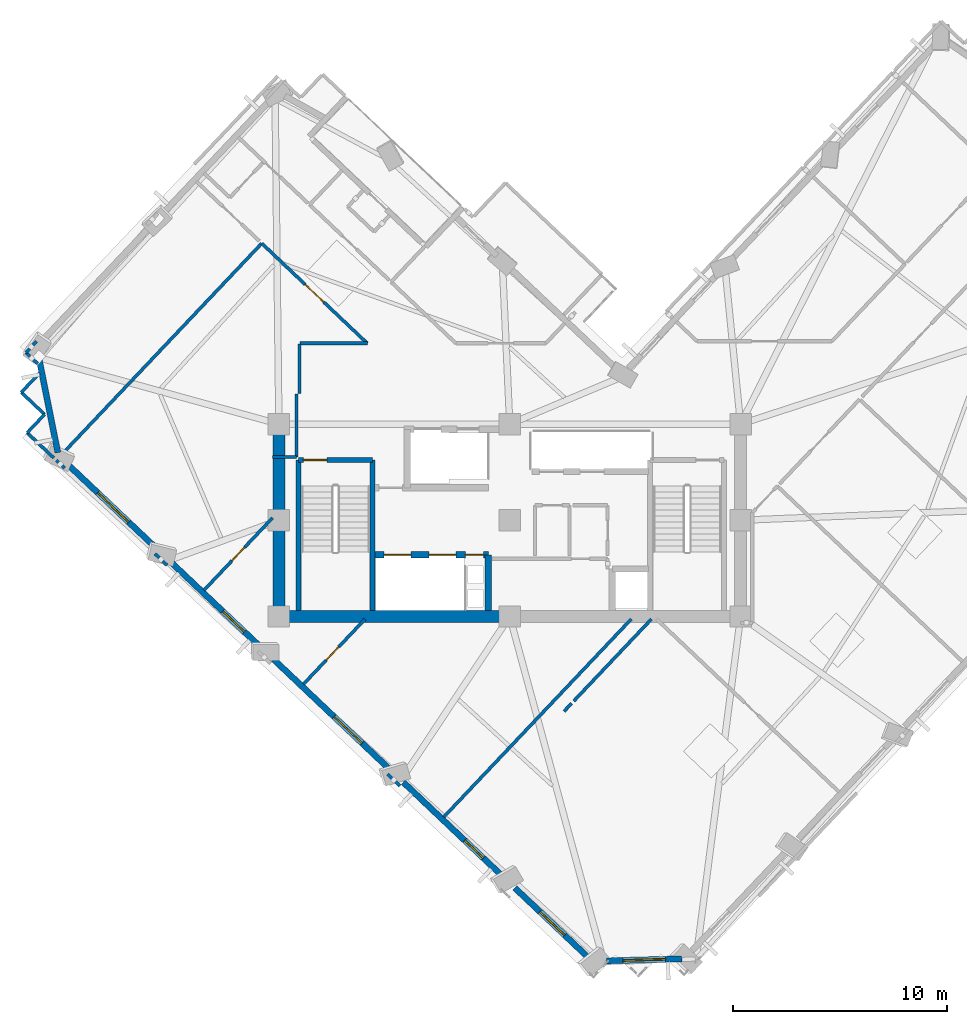
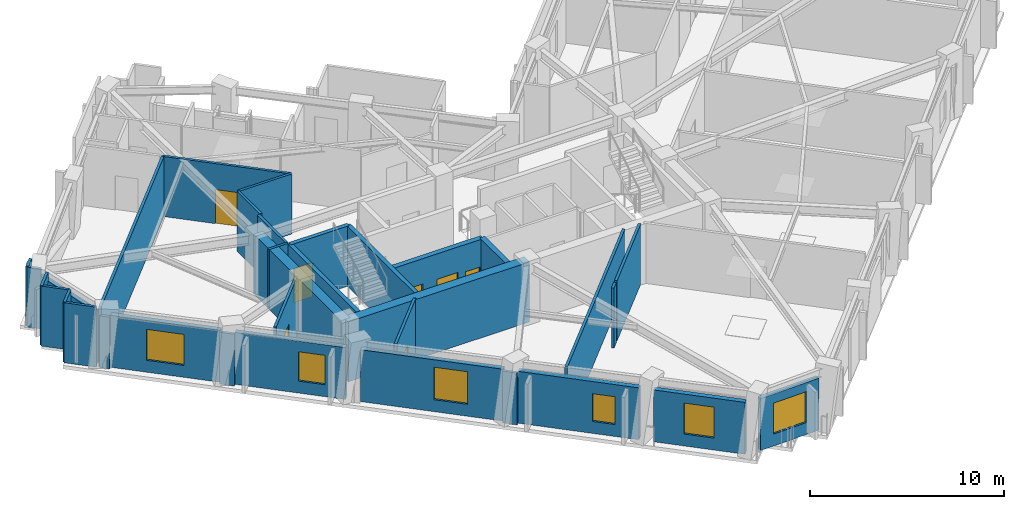
# One storey, part 4 of 12: 34 walls, 7 doors, 6 windows, 13 openings.
"""IFC4 building model written with IfcOpenShell, lengths in metres."""

import ifcopenshell
import ifcopenshell.guid

model = None  # the IFC model being written
_history = None  # IfcOwnerHistory: only IFC2X3 demands one
_inside = {}  # id of a spatial element -> (the spatial element, [elements in it])
_under = {}  # id of a project, library or spatial element -> (it, [spatial elements below it])
_declared = {}  # id of a project -> (the project, [libraries it declares])
_typed = {}  # id of a type object -> (the type object, [elements of that type])
_made_of = {}  # id of a material, layer set ... -> (it, [elements and type objects made of it])


def new_model(schema):
    """Start an empty IFC model of exactly this schema.

    Asked for "IFC4X3", IfcOpenShell would pick the latest addendum, in which some entities
    have other attributes; the version numbers below select the first issue.
    IFC2X3 requires an IfcOwnerHistory on every rooted entity: one is made here for all.
    """
    global model, _history
    if schema == "IFC4X3":
        model = ifcopenshell.file(schema_version=(4, 3, 0, 0))
    else:
        model = ifcopenshell.file(schema=schema)
    _inside.clear()
    _under.clear()
    _declared.clear()
    _typed.clear()
    _made_of.clear()
    _history = None
    if model.schema == "IFC2X3":
        org = make("IfcOrganization", Name="unknown")
        user = make(
            "IfcPersonAndOrganization",
            ThePerson=make("IfcPerson", FamilyName="unknown"),
            TheOrganization=org,
        )
        app = make(
            "IfcApplication",
            ApplicationDeveloper=org,
            Version="unknown",
            ApplicationFullName="unknown",
            ApplicationIdentifier="unknown",
        )
        _history = make(
            "IfcOwnerHistory",
            OwningUser=user,
            OwningApplication=app,
            ChangeAction="ADDED",
            CreationDate=0,
        )
    return model


def make(cls, **values):
    """One entity of the class cls with the attributes given. An attribute that is None is left unset."""
    return model.create_entity(
        cls, **{name: value for name, value in values.items() if value is not None}
    )


def rooted(cls, **values):
    """An entity with a GlobalId (a new one), such as an element, a storey or a relation."""
    return make(cls, GlobalId=ifcopenshell.guid.new(), OwnerHistory=_history, **values)


def si_unit(unit_type, name, prefix=None):
    """IfcSIUnit, for example si_unit("LENGTHUNIT", "METRE", prefix="MILLI")."""
    return make("IfcSIUnit", UnitType=unit_type, Prefix=prefix, Name=name)


def assignment(units):
    """IfcUnitAssignment: the units of a project."""
    return None if units is None else make("IfcUnitAssignment", Units=units)


def point(xyz):
    """IfcCartesianPoint."""
    return None if xyz is None else make("IfcCartesianPoint", Coordinates=xyz)


def direction(xyz):
    """IfcDirection."""
    return None if xyz is None else make("IfcDirection", DirectionRatios=xyz)


def frame(location, z_axis=None, x_axis=None):
    """IfcAxis2Placement3D, a coordinate frame: its origin and axes. An axis left out is left unset."""
    return make(
        "IfcAxis2Placement3D",
        Location=point(location),
        Axis=direction(z_axis),
        RefDirection=direction(x_axis),
    )


def frame_2d(location, x_axis=None):
    """IfcAxis2Placement2D, a coordinate frame in the plane: its origin and x axis."""
    return make(
        "IfcAxis2Placement2D", Location=point(location), RefDirection=direction(x_axis)
    )


def origin():
    """The frame at (0, 0, 0) with its axes left unset."""
    return frame((0.0, 0.0, 0.0))


def place(relative_to, where):
    """IfcLocalPlacement: puts the frame where relative to a parent placement (None: the world)."""
    return make(
        "IfcLocalPlacement", PlacementRelTo=relative_to, RelativePlacement=where
    )


def context(
    kind, dimensions, precision=None, world=None, true_north=None, identifier=None
):
    """IfcGeometricRepresentationContext, for example the 3D "Model" context."""
    return make(
        "IfcGeometricRepresentationContext",
        ContextIdentifier=identifier,
        ContextType=kind,
        CoordinateSpaceDimension=dimensions,
        Precision=precision,
        WorldCoordinateSystem=world,
        TrueNorth=true_north,
    )


def subcontext(parent, identifier, kind, view, scale=None):
    """IfcGeometricRepresentationSubContext, for example "Body" below "Model"."""
    return make(
        "IfcGeometricRepresentationSubContext",
        ContextIdentifier=identifier,
        ContextType=kind,
        ParentContext=parent,
        TargetScale=scale,
        TargetView=view,
    )


def project(units=None, contexts=None):
    """IfcProject with its units and contexts."""
    return rooted(
        "IfcProject",
        Name="project",
        RepresentationContexts=contexts,
        UnitsInContext=assignment(units),
    )


def spatial(cls, under=None, at=None, **own):
    """A site, building, storey or space (cls), placed at a placement, below another one or the project."""
    s = rooted(cls, ObjectPlacement=at, **own)
    if under is not None:
        _under.setdefault(under.id(), (under, []))[1].append(s)
    return s


def profile(cls, at=None, kind="AREA", **sizes):
    """A parametric profile (cls). Its sizes go by their IFC names, for example OverallWidth=200.0."""
    return make(cls, ProfileType=kind, Position=at, **sizes)


def rectangle(**sizes):
    """IfcRectangleProfileDef."""
    return profile("IfcRectangleProfileDef", **sizes)


def extrude(swept, where, along, depth):
    """IfcExtrudedAreaSolid: the profile swept, set in the frame where, extruded along a direction by depth."""
    return make(
        "IfcExtrudedAreaSolid",
        SweptArea=swept,
        Position=where,
        ExtrudedDirection=direction(along),
        Depth=depth,
    )


def shape(context_of_items, identifier, shape_type, items):
    """IfcShapeRepresentation: the items that make up one representation, for example the "Body"."""
    return make(
        "IfcShapeRepresentation",
        ContextOfItems=context_of_items,
        RepresentationIdentifier=identifier,
        RepresentationType=shape_type,
        Items=items,
    )


def material(Name=None, Category=None):
    """IfcMaterial."""
    return make("IfcMaterial", Name=Name, Category=Category)


def layer(
    of_material, thickness, ventilated=None, Name=None, Category=None, Priority=None
):
    """IfcMaterialLayer: one layer of a wall or slab, of a material (None: an air gap)."""
    return make(
        "IfcMaterialLayer",
        Material=of_material,
        LayerThickness=thickness,
        IsVentilated=ventilated,
        Name=Name,
        Category=Category,
        Priority=Priority,
    )


def layer_set(layers, Name=None):
    """IfcMaterialLayerSet."""
    return make("IfcMaterialLayerSet", MaterialLayers=layers, LayerSetName=Name)


def made_of(thing, what):
    """Note that an element or type object is made of a material, layer set ...; save() writes the relation."""
    if what is not None:
        _made_of.setdefault(what.id(), (what, []))[1].append(thing)
    return thing


def type_object(cls, material=None, **own):
    """A type object (cls), such as IfcWallType, which elements share."""
    return made_of(rooted(cls, **own), material)


def element(
    cls,
    number,
    at=None,
    inside=None,
    cuts=None,
    type_object=None,
    material=None,
    context=None,
    identifier="Body",
    shape_type=None,
    held_by="IfcProductDefinitionShape",
    body=None,
    shapes=None,
    **own,
):
    """One element of the class cls, such as IfcWall. Its Tag is "e" and its number.

    at: its placement. inside: the storey or other place that contains it. cuts: it is an
    opening in that element (IfcRelVoidsElement). A single representation is given by context,
    identifier, shape_type and body (its items); several are given by shapes. held_by: the class
    of the entity that holds the representations. save() writes the other relations.
    """
    e = rooted(cls, Tag="e%d" % number, ObjectPlacement=at, **own)
    if body is not None:
        shapes = [shape(context, identifier, shape_type, body)]
    if shapes is not None:
        e.Representation = make(held_by, Representations=shapes)
    if inside is not None:
        _inside.setdefault(inside.id(), (inside, []))[1].append(e)
    if cuts is not None:
        rooted(
            "IfcRelVoidsElement", RelatingBuildingElement=cuts, RelatedOpeningElement=e
        )
    if type_object is not None:
        _typed.setdefault(type_object.id(), (type_object, []))[1].append(e)
    return made_of(e, material)


def fill(opening, filler):
    """IfcRelFillsElement: the door or window that sits in an opening."""
    return rooted(
        "IfcRelFillsElement",
        RelatingOpeningElement=opening,
        RelatedBuildingElement=filler,
    )


def aggregate(whole, parts):
    """IfcRelAggregates: a whole, such as a stair, and the parts it consists of."""
    return rooted("IfcRelAggregates", RelatingObject=whole, RelatedObjects=parts)


def save(model, path):
    """Write the relations noted so far, then the file.

    IfcRelAggregates (storeys below a building ...), IfcRelContainedInSpatialStructure (elements
    in a storey), IfcRelDefinesByType, IfcRelAssociatesMaterial and IfcRelDeclares: one each for
    every whole, place, type object, material and project.
    """
    for whole, parts in _under.values():
        aggregate(whole, parts)
    for where, things in _inside.values():
        rooted(
            "IfcRelContainedInSpatialStructure",
            RelatedElements=things,
            RelatingStructure=where,
        )
    for kind, things in _typed.values():
        rooted("IfcRelDefinesByType", RelatedObjects=things, RelatingType=kind)
    for what, things in _made_of.values():
        rooted("IfcRelAssociatesMaterial", RelatedObjects=things, RelatingMaterial=what)
    for by, libraries in _declared.values():
        rooted("IfcRelDeclares", RelatingContext=by, RelatedDefinitions=libraries)
    model.write(path)


model = new_model("IFC4")

# Units and contexts
model_context = context("Model", 3, precision=1e-05, world=origin(), true_north=direction((0.0, 1.0)))
body_context = subcontext(model_context, "Body", "Model", "MODEL_VIEW")
ifc_project = project(units=[si_unit("LENGTHUNIT", "METRE"), si_unit("AREAUNIT", "SQUARE_METRE"), si_unit("VOLUMEUNIT", "CUBIC_METRE"), si_unit("PLANEANGLEUNIT", "RADIAN"), si_unit("MASSUNIT", "GRAM", prefix="KILO")], contexts=[model_context])

# Site, building, storey
site_placement = place(None, origin())
site = spatial("IfcSite", under=ifc_project, at=site_placement, CompositionType="ELEMENT")
building_placement = place(site_placement, origin())
building = spatial("IfcBuilding", under=site, at=building_placement, Name="Gaonmaruhae Medical Tower", CompositionType="ELEMENT")
storey_placement = place(building_placement, frame((0.0, 0.0, 223.199951171875)))
storey = spatial("IfcBuildingStorey", under=building, at=storey_placement, Name="L53", CompositionType="ELEMENT", Elevation=223.199951171875)

# Walls
ifc_material_1 = material(Name="Concrete C50/60", Category="concrete")
ifc_layer_1 = layer(ifc_material_1, 0.550048828125)
ifc_layer_set_1 = layer_set([ifc_layer_1], Name="Concrete C50/60")
wall_type_1 = type_object("IfcWallType", Name="CW-550 Mid-High Core Shear Wall", PredefinedType="SHEAR", material=ifc_layer_set_1)
wall_1_placement = place(storey_placement, frame((14.0, 7.800048828125, 0.0), z_axis=(0.0, 0.0, 1.0), x_axis=(1.0, 0.0, 0.0)))
element("IfcWall", 1, at=wall_1_placement, inside=storey, type_object=wall_type_1, Name="L53 Core Shear Wall CSW-S1", PredefinedType="SHEAR", context=body_context, shape_type="SweptSolid", body=[
    extrude(rectangle(XDim=10.800048828125, YDim=0.550048828125, at=frame_2d((5.39990234375, 0.0))), origin(), (0.0, 0.0, 1.0), 3.780029296875),
])
wall_2_placement = place(storey_placement, frame((14.0, 16.800048828125, 0.0), z_axis=(0.0, 0.0, 1.0), x_axis=(0.0, -1.0, 0.0)))
element("IfcWall", 2, at=wall_2_placement, inside=storey, type_object=wall_type_1, Name="L53 Core Shear Wall CSW-W1", PredefinedType="SHEAR", context=body_context, shape_type="SweptSolid", body=[
    extrude(rectangle(XDim=9.0, YDim=0.550048828125, at=frame_2d((4.5, 0.0))), origin(), (0.0, 0.0, 1.0), 3.780029296875),
])
ifc_material_2 = material(Name="Precast concrete C45/55", Category="concrete")
ifc_layer_2 = layer(ifc_material_2, 0.280029296875)
ifc_layer_set_2 = layer_set([ifc_layer_2], Name="Precast concrete C45/55")
wall_type_2 = type_object("IfcWallType", Name="EW-280 Upper Precast Masonry-Frame Facade Wall", PredefinedType="SOLIDWALL", material=ifc_layer_set_2)
wall_3_placement = place(storey_placement, frame((3.66015625, 15.460693359375, 0.0), z_axis=(0.0, 0.0, 1.0), x_axis=(-0.196510213366, 0.980501777685, 0.0)))
element("IfcWall", 3, at=wall_3_placement, inside=storey, type_object=wall_type_2, Name="L53 Precast Masonry-Frame Wall N03-W01", PredefinedType="SOLIDWALL", context=body_context, shape_type="SweptSolid", body=[
    extrude(rectangle(XDim=4.407958984375, YDim=0.280029296875, at=frame_2d((2.2041015625, 0.0))), origin(), (0.0, 0.0, 1.0), 3.26513671875),
])

# Wall, opening, window
wall_4_placement = place(storey_placement, frame((8.360107421875, 10.898681640625, 0.0), z_axis=(0.0, 0.0, 1.0), x_axis=(-0.725963687111, 0.68773303323, 0.0)))
wall_4 = element("IfcWall", 4, at=wall_4_placement, inside=storey, type_object=wall_type_2, Name="L53 Precast Masonry-Frame Wall W01-W02", PredefinedType="SOLIDWALL", context=body_context, shape_type="SweptSolid", body=[
    extrude(rectangle(XDim=5.830322265625, YDim=0.280029296875, at=frame_2d((2.9150390625, 0.0))), origin(), (0.0, 0.0, 1.0), 3.26513671875),
])
opening_1_placement = place(wall_4_placement, frame((1.911376953125, 0.0, 0.75)))
opening_1 = element("IfcOpeningElement", 5, at=opening_1_placement, cuts=wall_4, Name="Opening WN-02", PredefinedType="OPENING", context=body_context, shape_type="SweptSolid", body=[
    extrude(rectangle(XDim=2.0, YDim=1.949951171875, at=frame_2d((1.0, 0.97509765625))), frame((0.0, 0.14990234375, 0.0), z_axis=(0.0, -1.0, 0.0), x_axis=(1.0, 0.0, 0.0)), (0.0, 0.0, 1.0), 0.300048828125),
])
ifc_material_3 = material(Name="Anodised aluminium and Low-E double glazing", Category="aluminium")
window_type_1 = type_object("IfcWindowType", Name="WN-02 Double-Bed Ward Punched Window 2000x1950", PartitioningType="SINGLE_PANEL", PredefinedType="WINDOW", material=ifc_material_3)
window_1_placement = place(opening_1_placement, origin())
window_1 = element("IfcWindow", 6, at=window_1_placement, inside=storey, type_object=window_type_1, Name="L53 Modular Facade Window W01", OverallHeight=1.949951171875, OverallWidth=2.0, PartitioningType="SINGLE_PANEL", PredefinedType="WINDOW", context=body_context, shape_type="SweptSolid", body=[
    extrude(rectangle(XDim=2.0, YDim=1.949951171875, at=frame_2d((1.0, 0.97509765625))), frame((0.0, 0.030029296875, 0.0), z_axis=(0.0, -1.0, 0.0), x_axis=(1.0, 0.0, 0.0)), (0.0, 0.0, 1.0), 0.06005859375),
])
fill(opening_1, window_1)

wall_5_placement = place(storey_placement, frame((13.183349609375, 6.32958984375, 0.0), z_axis=(0.0, 0.0, 1.0), x_axis=(-0.725968007999, 0.687728472118, 0.0)))
wall_5 = element("IfcWall", 7, at=wall_5_placement, inside=storey, type_object=wall_type_2, Name="L53 Precast Masonry-Frame Wall W02-W03", PredefinedType="SOLIDWALL", context=body_context, shape_type="SweptSolid", body=[
    extrude(rectangle(XDim=5.861083984375, YDim=0.280029296875, at=frame_2d((2.9306640625, 0.0))), origin(), (0.0, 0.0, 1.0), 3.26513671875),
])
opening_2_placement = place(wall_5_placement, frame((1.097900390625, 0.0, 0.75)))
opening_2 = element("IfcOpeningElement", 8, at=opening_2_placement, cuts=wall_5, Name="Opening WN-03", PredefinedType="OPENING", context=body_context, shape_type="SweptSolid", body=[
    extrude(rectangle(XDim=1.39990234375, YDim=1.85009765625, at=frame_2d((0.699951171875, 0.925048828125))), frame((0.0, 0.14990234375, 0.0), z_axis=(0.0, -1.0, 0.0), x_axis=(1.0, 0.0, 0.0)), (0.0, 0.0, 1.0), 0.300048828125),
])
window_type_2 = type_object("IfcWindowType", Name="WN-03 Isolation Ward Punched Window 1400x1850", PartitioningType="SINGLE_PANEL", PredefinedType="WINDOW", material=ifc_material_3)
window_2_placement = place(opening_2_placement, origin())
window_2 = element("IfcWindow", 9, at=window_2_placement, inside=storey, type_object=window_type_2, Name="L53 Modular Facade Window W02", OverallHeight=1.85009765625, OverallWidth=1.39990234375, PartitioningType="SINGLE_PANEL", PredefinedType="WINDOW", context=body_context, shape_type="SweptSolid", body=[
    extrude(rectangle(XDim=1.39990234375, YDim=1.85009765625, at=frame_2d((0.699951171875, 0.925048828125))), frame((0.0, 0.030029296875, 0.0), z_axis=(0.0, -1.0, 0.0), x_axis=(1.0, 0.0, 0.0)), (0.0, 0.0, 1.0), 0.06005859375),
])
fill(opening_2, window_2)

wall_6_placement = place(storey_placement, frame((19.247314453125, 0.585205078125, 0.0), z_axis=(0.0, 0.0, 1.0), x_axis=(-0.725985785172, 0.687709706002, 0.0)))
wall_6 = element("IfcWall", 10, at=wall_6_placement, inside=storey, type_object=wall_type_2, Name="L53 Precast Masonry-Frame Wall W03-W04", PredefinedType="SOLIDWALL", context=body_context, shape_type="SweptSolid", body=[
    extrude(rectangle(XDim=7.558349609375, YDim=0.280029296875, at=frame_2d((3.779296875, 0.0))), origin(), (0.0, 0.0, 1.0), 3.26513671875),
])
opening_3_placement = place(wall_6_placement, frame((1.875244140625, 0.0, 0.75)))
opening_3 = element("IfcOpeningElement", 11, at=opening_3_placement, cuts=wall_6, Name="Opening WN-04", PredefinedType="OPENING", context=body_context, shape_type="SweptSolid", body=[
    extrude(rectangle(XDim=1.800048828125, YDim=2.050048828125, at=frame_2d((0.89990234375, 1.02490234375))), frame((0.0, 0.14990234375, 0.0), z_axis=(0.0, -1.0, 0.0), x_axis=(1.0, 0.0, 0.0)), (0.0, 0.0, 1.0), 0.300048828125),
])
window_type_3 = type_object("IfcWindowType", Name="WN-04 Clinic & Consult Punched Window 1800x2050", PartitioningType="SINGLE_PANEL", PredefinedType="WINDOW", material=ifc_material_3)
window_3_placement = place(opening_3_placement, origin())
window_3 = element("IfcWindow", 12, at=window_3_placement, inside=storey, type_object=window_type_3, Name="L53 Modular Facade Window W03", OverallHeight=2.050048828125, OverallWidth=1.800048828125, PartitioningType="SINGLE_PANEL", PredefinedType="WINDOW", context=body_context, shape_type="SweptSolid", body=[
    extrude(rectangle(XDim=1.800048828125, YDim=2.050048828125, at=frame_2d((0.89990234375, 1.02490234375))), frame((0.0, 0.030029296875, 0.0), z_axis=(0.0, -1.0, 0.0), x_axis=(1.0, 0.0, 0.0)), (0.0, 0.0, 1.0), 0.06005859375),
])
fill(opening_3, window_3)

wall_7_placement = place(storey_placement, frame((24.4833984375, -4.375, 0.0), z_axis=(0.0, 0.0, 1.0), x_axis=(-0.725961670354, 0.687735162091, 0.0)))
wall_7 = element("IfcWall", 13, at=wall_7_placement, inside=storey, type_object=wall_type_2, Name="L53 Precast Masonry-Frame Wall W04-W05", PredefinedType="SOLIDWALL", context=body_context, shape_type="SweptSolid", body=[
    extrude(rectangle(XDim=6.425048828125, YDim=0.280029296875, at=frame_2d((3.21240234375, 0.0))), origin(), (0.0, 0.0, 1.0), 3.26513671875),
])
opening_4_placement = place(wall_7_placement, frame((1.26513671875, 0.0, 0.75)))
opening_4 = element("IfcOpeningElement", 14, at=opening_4_placement, cuts=wall_7, Name="Opening WN-05", PredefinedType="OPENING", context=body_context, shape_type="SweptSolid", body=[
    extrude(rectangle(XDim=1.199951171875, YDim=1.75, at=frame_2d((0.60009765625, 0.875))), frame((0.0, 0.14990234375, 0.0), z_axis=(0.0, -1.0, 0.0), x_axis=(1.0, 0.0, 0.0)), (0.0, 0.0, 1.0), 0.300048828125),
])
window_type_4 = type_object("IfcWindowType", Name="WN-05 Support & Staff Punched Window 1200x1750", PartitioningType="SINGLE_PANEL", PredefinedType="WINDOW", material=ifc_material_3)
window_4_placement = place(opening_4_placement, origin())
window_4 = element("IfcWindow", 15, at=window_4_placement, inside=storey, type_object=window_type_4, Name="L53 Modular Facade Window W04", OverallHeight=1.75, OverallWidth=1.199951171875, PartitioningType="SINGLE_PANEL", PredefinedType="WINDOW", context=body_context, shape_type="SweptSolid", body=[
    extrude(rectangle(XDim=1.199951171875, YDim=1.75, at=frame_2d((0.60009765625, 0.875))), frame((0.0, 0.030029296875, 0.0), z_axis=(0.0, -1.0, 0.0), x_axis=(1.0, 0.0, 0.0)), (0.0, 0.0, 1.0), 0.06005859375),
])
fill(opening_4, window_4)

wall_8_placement = place(storey_placement, frame((28.56103515625, -8.23779296875, 0.0), z_axis=(0.0, 0.0, 1.0), x_axis=(-0.725980430511, 0.687715358644, 0.0)))
wall_8 = element("IfcWall", 16, at=wall_8_placement, inside=storey, type_object=wall_type_2, Name="L53 Precast Masonry-Frame Wall W05-W06", PredefinedType="SOLIDWALL", context=body_context, shape_type="SweptSolid", body=[
    extrude(rectangle(XDim=4.85546875, YDim=0.280029296875, at=frame_2d((2.427734375, 0.0))), origin(), (0.0, 0.0, 1.0), 3.26513671875),
])
opening_5_placement = place(wall_8_placement, frame((1.632568359375, 0.0, 0.75)))
opening_5 = element("IfcOpeningElement", 17, at=opening_5_placement, cuts=wall_8, Name="Opening WN-01", PredefinedType="OPENING", context=body_context, shape_type="SweptSolid", body=[
    extrude(rectangle(XDim=1.60009765625, YDim=1.949951171875, at=frame_2d((0.800048828125, 0.97509765625))), frame((0.0, 0.14990234375, 0.0), z_axis=(0.0, -1.0, 0.0), x_axis=(1.0, 0.0, 0.0)), (0.0, 0.0, 1.0), 0.300048828125),
])
window_type_5 = type_object("IfcWindowType", Name="WN-01 Ward Punched Acoustic Window 1600x1950", PartitioningType="SINGLE_PANEL", PredefinedType="WINDOW", material=ifc_material_3)
window_5_placement = place(opening_5_placement, origin())
window_5 = element("IfcWindow", 18, at=window_5_placement, inside=storey, type_object=window_type_5, Name="L53 Modular Facade Window W05", OverallHeight=1.949951171875, OverallWidth=1.60009765625, PartitioningType="SINGLE_PANEL", PredefinedType="WINDOW", context=body_context, shape_type="SweptSolid", body=[
    extrude(rectangle(XDim=1.60009765625, YDim=1.949951171875, at=frame_2d((0.800048828125, 0.97509765625))), frame((0.0, 0.030029296875, 0.0), z_axis=(0.0, -1.0, 0.0), x_axis=(1.0, 0.0, 0.0)), (0.0, 0.0, 1.0), 0.06005859375),
])
fill(opening_5, window_5)

wall_9_placement = place(storey_placement, frame((32.8486328125, -8.218994140625, 0.0), z_axis=(0.0, 0.0, 1.0), x_axis=(-0.999634260925, -0.0270433797, 0.0)))
wall_9 = element("IfcWall", 19, at=wall_9_placement, inside=storey, type_object=wall_type_2, Name="L53 Precast Masonry-Frame Wall W06-S01", PredefinedType="SOLIDWALL", context=body_context, shape_type="SweptSolid", body=[
    extrude(rectangle(XDim=3.520751953125, YDim=0.280029296875, at=frame_2d((1.76025390625, 0.0))), origin(), (0.0, 0.0, 1.0), 3.26513671875),
])
opening_6_placement = place(wall_9_placement, frame((0.759765625, 0.0, 0.75)))
opening_6 = element("IfcOpeningElement", 20, at=opening_6_placement, cuts=wall_9, Name="Opening WN-02", PredefinedType="OPENING", context=body_context, shape_type="SweptSolid", body=[
    extrude(rectangle(XDim=2.0, YDim=1.949951171875, at=frame_2d((1.0, 0.97509765625))), frame((0.0, 0.14990234375, 0.0), z_axis=(0.0, -1.0, 0.0), x_axis=(1.0, 0.0, 0.0)), (0.0, 0.0, 1.0), 0.300048828125),
])
window_6_placement = place(opening_6_placement, origin())
window_6 = element("IfcWindow", 21, at=window_6_placement, inside=storey, type_object=window_type_1, Name="L53 Modular Facade Window W06", OverallHeight=1.949951171875, OverallWidth=2.0, PartitioningType="SINGLE_PANEL", PredefinedType="WINDOW", context=body_context, shape_type="SweptSolid", body=[
    extrude(rectangle(XDim=2.0, YDim=1.949951171875, at=frame_2d((1.0, 0.97509765625))), frame((0.0, 0.030029296875, 0.0), z_axis=(0.0, -1.0, 0.0), x_axis=(1.0, 0.0, 0.0)), (0.0, 0.0, 1.0), 0.06005859375),
])
fill(opening_6, window_6)

# Walls
ifc_material_4 = material(Name="Gypsum board partition", Category="gypsum")
ifc_layer_3 = layer(ifc_material_4, 0.14990234375)
ifc_layer_set_3 = layer_set([ifc_layer_3], Name="Gypsum board partition")
wall_type_3 = type_object("IfcWallType", Name="PW-150 Rated Clinical Corridor Partition", PredefinedType="PARTITIONING", material=ifc_layer_set_3)
wall_10_placement = place(storey_placement, frame((27.801025390625, 3.846923828125, 0.0), z_axis=(0.0, 0.0, 1.0), x_axis=(0.687775466328, 0.725923486269, 0.0)))
element("IfcWall", 22, at=wall_10_placement, inside=storey, type_object=wall_type_3, Name="L53 Interior Partition L53-SUP02-10", PredefinedType="PARTITIONING", context=body_context, shape_type="SweptSolid", body=[
    extrude(rectangle(XDim=5.2734375, YDim=0.14990234375, at=frame_2d((2.63671875, 0.0))), origin(), (0.0, 0.0, 1.0), 3.780029296875),
])
wall_11_placement = place(storey_placement, frame((19.660888671875, -0.123046875, 0.0), z_axis=(0.0, 0.0, 1.0), x_axis=(-0.726376345224, 0.68729717379, 0.0)))
element("IfcWall", 23, at=wall_11_placement, inside=storey, type_object=wall_type_3, Name="L53 Interior Partition L53-WOF07-28", PredefinedType="PARTITIONING", context=body_context, shape_type="SweptSolid", body=[
    extrude(rectangle(XDim=0.787109375, YDim=0.14990234375, at=frame_2d((0.3935546875, 0.0))), origin(), (0.0, 0.0, 1.0), 3.26513671875),
])

# Wall, opening, door
wall_12_placement = place(storey_placement, frame((15.14599609375, 4.62890625, 0.0), z_axis=(0.0, 0.0, 1.0), x_axis=(0.687765627003, 0.725932808401, 0.0)))
wall_12 = element("IfcWall", 24, at=wall_12_placement, inside=storey, type_object=wall_type_3, Name="L53 Interior Partition L53-WOF07-29", PredefinedType="PARTITIONING", context=body_context, shape_type="SweptSolid", body=[
    extrude(rectangle(XDim=4.1962890625, YDim=0.14990234375, at=frame_2d((2.09814453125, 0.0))), origin(), (0.0, 0.0, 1.0), 3.780029296875),
])
opening_7_placement = place(wall_12_placement, frame((1.54736328125, 0.0, 0.0)))
opening_7 = element("IfcOpeningElement", 25, at=opening_7_placement, cuts=wall_12, Name="Opening AD-01", PredefinedType="OPENING", context=body_context, shape_type="SweptSolid", body=[
    extrude(rectangle(XDim=0.860107421875, YDim=2.06005859375, at=frame_2d((0.43017578125, 1.030029296875))), frame((0.0, 0.0849609375, 0.0), z_axis=(0.0, -1.0, 0.0), x_axis=(1.0, 0.0, 0.0)), (0.0, 0.0, 1.0), 0.169921875),
])
ifc_material_5 = material(Name="Powder-coated steel access door", Category="steel")
door_type_1 = type_object("IfcDoorType", Name="AD-01 Riser & Closet Access Fire Door 860x2060", OperationType="NOTDEFINED", PredefinedType="DOOR", material=ifc_material_5)
door_1_placement = place(opening_7_placement, origin())
door_1 = element("IfcDoor", 26, at=door_1_placement, inside=storey, type_object=door_type_1, Name="L53 Ward Physician Reporting Office Sliding Door", OperationType="SLIDING_TO_LEFT", OverallHeight=2.06005859375, OverallWidth=0.860107421875, PredefinedType="DOOR", context=body_context, shape_type="SweptSolid", body=[
    extrude(rectangle(XDim=0.860107421875, YDim=2.06005859375, at=frame_2d((0.43017578125, 1.030029296875))), frame((0.0, 0.02490234375, 0.0), z_axis=(0.0, -1.0, 0.0), x_axis=(1.0, 0.0, 0.0)), (0.0, 0.0, 1.0), 0.050048828125),
])
fill(opening_7, door_1)

# Wall
wall_13_placement = place(storey_placement, frame((30.48388671875, 7.675048828125, 0.0), z_axis=(0.0, 0.0, 1.0), x_axis=(-0.687675654544, -0.726018039823, 0.0)))
element("IfcWall", 27, at=wall_13_placement, inside=storey, type_object=wall_type_3, Name="L53 Interior Partition L53-WOF07-30", PredefinedType="PARTITIONING", context=body_context, shape_type="SweptSolid", body=[
    extrude(rectangle(XDim=12.76025390625, YDim=0.14990234375, at=frame_2d((6.380126953125, 0.0))), origin(), (0.0, 0.0, 1.0), 3.780029296875),
])

# Wall, opening, door
wall_14_placement = place(storey_placement, frame((10.4990234375, 9.031005859375, 0.0), z_axis=(0.0, 0.0, 1.0), x_axis=(0.687833407474, 0.725868585601, 0.0)))
wall_14 = element("IfcWall", 28, at=wall_14_placement, inside=storey, type_object=wall_type_3, Name="L53 Interior Partition L53-WOF08-32", PredefinedType="PARTITIONING", context=body_context, shape_type="SweptSolid", body=[
    extrude(rectangle(XDim=4.653564453125, YDim=0.14990234375, at=frame_2d((2.32666015625, 0.0))), origin(), (0.0, 0.0, 1.0), 3.780029296875),
])
opening_8_placement = place(wall_14_placement, frame((1.89697265625, 0.0, 0.0)))
opening_8 = element("IfcOpeningElement", 29, at=opening_8_placement, cuts=wall_14, Name="Opening AD-01", PredefinedType="OPENING", context=body_context, shape_type="SweptSolid", body=[
    extrude(rectangle(XDim=0.860107421875, YDim=2.06005859375, at=frame_2d((0.43017578125, 1.030029296875))), frame((0.0, 0.0849609375, 0.0), z_axis=(0.0, -1.0, 0.0), x_axis=(1.0, 0.0, 0.0)), (0.0, 0.0, 1.0), 0.169921875),
])
door_2_placement = place(opening_8_placement, origin())
door_2 = element("IfcDoor", 30, at=door_2_placement, inside=storey, type_object=door_type_1, Name="L53 Ward Physician Reporting Office Sliding Door", OperationType="SLIDING_TO_LEFT", OverallHeight=2.06005859375, OverallWidth=0.860107421875, PredefinedType="DOOR", context=body_context, shape_type="SweptSolid", body=[
    extrude(rectangle(XDim=0.860107421875, YDim=2.06005859375, at=frame_2d((0.43017578125, 1.030029296875))), frame((0.0, 0.02490234375, 0.0), z_axis=(0.0, -1.0, 0.0), x_axis=(1.0, 0.0, 0.0)), (0.0, 0.0, 1.0), 0.050048828125),
])
fill(opening_8, door_2)

# Walls
wall_15_placement = place(storey_placement, frame((14.969970703125, 20.550048828125, 0.0), z_axis=(0.0, 0.0, 1.0), x_axis=(0.0, -1.0, 0.0)))
element("IfcWall", 31, at=wall_15_placement, inside=storey, type_object=wall_type_3, Name="L53 Interior Partition L53-WOF09-33", PredefinedType="PARTITIONING", context=body_context, shape_type="SweptSolid", body=[
    extrude(rectangle(XDim=2.320068359375, YDim=0.14990234375, at=frame_2d((1.16015625, 0.0))), origin(), (0.0, 0.0, 1.0), 3.780029296875),
])
wall_16_placement = place(storey_placement, frame((14.820068359375, 18.199951171875, 0.0), z_axis=(0.0, 0.0, 1.0), x_axis=(0.0, -1.0, 0.0)))
element("IfcWall", 32, at=wall_16_placement, inside=storey, type_object=wall_type_3, Name="L53 Interior Partition L53-WOF09-34", PredefinedType="PARTITIONING", context=body_context, shape_type="SweptSolid", body=[
    extrude(rectangle(XDim=2.93994140625, YDim=0.14990234375, at=frame_2d((1.469970703125, 0.0))), origin(), (0.0, 0.0, 1.0), 3.780029296875),
])
wall_17_placement = place(storey_placement, frame((14.820068359375, 15.260009765625, 0.0), z_axis=(0.0, 0.0, 1.0), x_axis=(-1.0, 0.0, 0.0)))
element("IfcWall", 33, at=wall_17_placement, inside=storey, type_object=wall_type_3, Name="L53 Interior Partition L53-WOF09-35", PredefinedType="PARTITIONING", context=body_context, shape_type="SweptSolid", body=[
    extrude(rectangle(XDim=1.1201171875, YDim=0.14990234375, at=frame_2d((0.56005859375, 0.0))), origin(), (0.0, 0.0, 1.0), 3.780029296875),
])
wall_18_placement = place(storey_placement, frame((8.77001953125, 10.193115234375, 0.0), z_axis=(0.0, 0.0, 1.0), x_axis=(-0.725567481012, 0.688151023031, 0.0)))
element("IfcWall", 34, at=wall_18_placement, inside=storey, type_object=wall_type_3, Name="L53 Interior Partition L53-WOF09-36", PredefinedType="PARTITIONING", context=body_context, shape_type="SweptSolid", body=[
    extrude(rectangle(XDim=0.782958984375, YDim=0.14990234375, at=frame_2d((0.3916015625, 0.0))), origin(), (0.0, 0.0, 1.0), 3.26513671875),
])
wall_19_placement = place(storey_placement, frame((3.969970703125, 14.741943359375, 0.0), z_axis=(0.0, 0.0, 1.0), x_axis=(-0.726592423793, 0.687068737236, 0.0)))
element("IfcWall", 35, at=wall_19_placement, inside=storey, type_object=wall_type_3, Name="L53 Interior Partition L53-WOF09-37", PredefinedType="PARTITIONING", context=body_context, shape_type="SweptSolid", body=[
    extrude(rectangle(XDim=0.53125, YDim=0.14990234375, at=frame_2d((0.265625, 0.0))), origin(), (0.0, 0.0, 1.0), 3.26513671875),
])
wall_20_placement = place(storey_placement, frame((3.583984375, 15.10693359375, 0.0), z_axis=(0.0, 0.0, 1.0), x_axis=(0.687707348385, 0.72598801848, 0.0)))
element("IfcWall", 36, at=wall_20_placement, inside=storey, type_object=wall_type_3, Name="L53 Interior Partition L53-WOF09-38", PredefinedType="PARTITIONING", context=body_context, shape_type="SweptSolid", body=[
    extrude(rectangle(XDim=13.979736328125, YDim=0.14990234375, at=frame_2d((6.98974609375, 0.0))), origin(), (0.0, 0.0, 1.0), 3.780029296875),
])

# Wall, opening, door
wall_21_placement = place(storey_placement, frame((13.197998046875, 25.256103515625, 0.0), z_axis=(0.0, 0.0, 1.0), x_axis=(0.725968723938, -0.687727716371, 0.0)))
wall_21 = element("IfcWall", 37, at=wall_21_placement, inside=storey, type_object=wall_type_3, Name="L53 Interior Partition L53-WOF09-39", PredefinedType="PARTITIONING", context=body_context, shape_type="SweptSolid", body=[
    extrude(rectangle(XDim=6.79931640625, YDim=0.14990234375, at=frame_2d((3.399658203125, 0.0))), origin(), (0.0, 0.0, 1.0), 3.780029296875),
])
opening_9_placement = place(wall_21_placement, frame((2.799560546875, 0.0, 0.0)))
opening_9 = element("IfcOpeningElement", 38, at=opening_9_placement, cuts=wall_21, Name="Opening CD-02", PredefinedType="OPENING", context=body_context, shape_type="SweptSolid", body=[
    extrude(rectangle(XDim=1.199951171875, YDim=2.14990234375, at=frame_2d((0.60009765625, 1.074951171875))), frame((0.0, 0.0849609375, 0.0), z_axis=(0.0, -1.0, 0.0), x_axis=(1.0, 0.0, 0.0)), (0.0, 0.0, 1.0), 0.169921875),
])
ifc_material_6 = material(Name="Antimicrobial laminate timber fire door", Category="wood")
door_type_2 = type_object("IfcDoorType", Name="CD-02 Clinical Treatment & Procedure Door 1200x2150", OperationType="NOTDEFINED", PredefinedType="DOOR", material=ifc_material_6)
door_3_placement = place(opening_9_placement, origin())
door_3 = element("IfcDoor", 39, at=door_3_placement, inside=storey, type_object=door_type_2, Name="L53 Ward Physician Reporting Office Door", OperationType="SINGLE_SWING_RIGHT", OverallHeight=2.14990234375, OverallWidth=1.199951171875, PredefinedType="DOOR", context=body_context, shape_type="SweptSolid", body=[
    extrude(rectangle(XDim=1.199951171875, YDim=2.14990234375, at=frame_2d((0.60009765625, 1.074951171875))), frame((0.0, 0.02490234375, 0.0), z_axis=(0.0, -1.0, 0.0), x_axis=(1.0, 0.0, 0.0)), (0.0, 0.0, 1.0), 0.050048828125),
])
fill(opening_9, door_3)

# Walls
wall_22_placement = place(storey_placement, frame((18.134033203125, 20.580078125, 0.0), z_axis=(0.0, 0.0, 1.0), x_axis=(-1.0, 0.0, 0.0)))
element("IfcWall", 40, at=wall_22_placement, inside=storey, type_object=wall_type_3, Name="L53 Interior Partition L53-WOF09-40", PredefinedType="PARTITIONING", context=body_context, shape_type="SweptSolid", body=[
    extrude(rectangle(XDim=3.136962890625, YDim=0.14990234375, at=frame_2d((1.568359375, 0.0))), origin(), (0.0, 0.0, 1.0), 3.780029296875),
])
wall_23_placement = place(storey_placement, frame((1.945068359375, 18.284912109375, 0.0), z_axis=(0.0, 0.0, 1.0), x_axis=(0.687832109073, 0.725869815964, 0.0)))
element("IfcWall", 41, at=wall_23_placement, inside=storey, type_object=wall_type_3, Name="L53 Interior Partition L53-WOF10-41", PredefinedType="PARTITIONING", context=body_context, shape_type="SweptSolid", body=[
    extrude(rectangle(XDim=1.23876953125, YDim=0.14990234375, at=frame_2d((0.619384765625, 0.0))), origin(), (0.0, 0.0, 1.0), 3.780029296875),
])
wall_24_placement = place(storey_placement, frame((2.7080078125, 19.626953125, 0.0), z_axis=(0.0, 0.0, 1.0), x_axis=(-0.725388799177, 0.688339371262, 0.0)))
element("IfcWall", 42, at=wall_24_placement, inside=storey, type_object=wall_type_3, Name="L53 Interior Partition L53-WOF10-42", PredefinedType="PARTITIONING", context=body_context, shape_type="SweptSolid", body=[
    extrude(rectangle(XDim=0.751220703125, YDim=0.14990234375, at=frame_2d((0.37548828125, 0.0))), origin(), (0.0, 0.0, 1.0), 3.780029296875),
])
wall_25_placement = place(storey_placement, frame((2.1630859375, 20.14404296875, 0.0), z_axis=(0.0, 0.0, 1.0), x_axis=(0.687652052217, 0.726040394938, 0.0)))
element("IfcWall", 43, at=wall_25_placement, inside=storey, type_object=wall_type_3, Name="L53 Interior Partition L53-WOF10-43", PredefinedType="PARTITIONING", context=body_context, shape_type="SweptSolid", body=[
    extrude(rectangle(XDim=0.7314453125, YDim=0.14990234375, at=frame_2d((0.36572265625, 0.0))), origin(), (0.0, 0.0, 1.0), 3.780029296875),
])
wall_26_placement = place(storey_placement, frame((3.467041015625, 15.217041015625, 0.0), z_axis=(0.0, 0.0, 1.0), x_axis=(-0.726135984847, 0.687551111926, 0.0)))
element("IfcWall", 44, at=wall_26_placement, inside=storey, type_object=wall_type_3, Name="L53 Interior Partition L53-WOF10-46", PredefinedType="PARTITIONING", context=body_context, shape_type="SweptSolid", body=[
    extrude(rectangle(XDim=1.714599609375, YDim=0.14990234375, at=frame_2d((0.857421875, 0.0))), origin(), (0.0, 0.0, 1.0), 3.780029296875),
])
wall_27_placement = place(storey_placement, frame((2.221923828125, 16.39599609375, 0.0), z_axis=(0.0, 0.0, 1.0), x_axis=(0.687824949472, 0.725876600314, 0.0)))
element("IfcWall", 45, at=wall_27_placement, inside=storey, type_object=wall_type_3, Name="L53 Interior Partition L53-WOF10-47", PredefinedType="PARTITIONING", context=body_context, shape_type="SweptSolid", body=[
    extrude(rectangle(XDim=1.1806640625, YDim=0.14990234375, at=frame_2d((0.59033203125, 0.0))), origin(), (0.0, 0.0, 1.0), 3.780029296875),
])
wall_28_placement = place(storey_placement, frame((3.033935546875, 17.2529296875, 0.0), z_axis=(0.0, 0.0, 1.0), x_axis=(-0.725811549819, 0.687893592171, 0.0)))
element("IfcWall", 46, at=wall_28_placement, inside=storey, type_object=wall_type_3, Name="L53 Interior Partition L53-WOF10-48", PredefinedType="PARTITIONING", context=body_context, shape_type="SweptSolid", body=[
    extrude(rectangle(XDim=1.500244140625, YDim=0.14990234375, at=frame_2d((0.75, 0.0))), origin(), (0.0, 0.0, 1.0), 3.780029296875),
])
wall_29_placement = place(storey_placement, frame((27.69091796875, 3.72998046875, 0.0), z_axis=(0.0, 0.0, 1.0), x_axis=(-0.688182875611, -0.725537269694, 0.0)))
element("IfcWall", 47, at=wall_29_placement, inside=storey, type_object=wall_type_3, Name="L53 Interior Partition L53-RM01-84", PredefinedType="PARTITIONING", context=body_context, shape_type="SweptSolid", body=[
    extrude(rectangle(XDim=0.509765625, YDim=0.14990234375, at=frame_2d((0.2548828125, 0.0))), origin(), (0.0, 0.0, 1.0), 3.780029296875),
])

# Wall, opening, door
ifc_layer_4 = layer(ifc_material_1, 0.239990234375)
ifc_layer_set_4 = layer_set([ifc_layer_4], Name="Concrete C50/60")
wall_type_4 = type_object("IfcWallType", Name="SW-240 Dogleg Stair Tight Shaft Wall", PredefinedType="SOLIDWALL", material=ifc_layer_set_4)
wall_30_placement = place(storey_placement, frame((14.919921875, 15.1201171875, 0.0), z_axis=(0.0, 0.0, 1.0), x_axis=(1.0, 0.0, 0.0)))
wall_30 = element("IfcWall", 48, at=wall_30_placement, inside=storey, type_object=wall_type_4, Name="L53 ST-01 Stair Shaft Wall SHW-ST-01-N", PredefinedType="SOLIDWALL", context=body_context, shape_type="SweptSolid", body=[
    extrude(rectangle(XDim=3.4599609375, YDim=0.239990234375, at=frame_2d((1.72998046875, 0.0))), origin(), (0.0, 0.0, 1.0), 3.780029296875),
])
opening_10_placement = place(wall_30_placement, frame((0.219970703125, 0.0, 0.0)))
opening_10 = element("IfcOpeningElement", 49, at=opening_10_placement, cuts=wall_30, Name="Opening FD-01", PredefinedType="OPENING", context=body_context, shape_type="SweptSolid", body=[
    extrude(rectangle(XDim=1.10009765625, YDim=2.14990234375, at=frame_2d((0.550048828125, 1.074951171875))), frame((0.0, 0.1298828125, 0.0), z_axis=(0.0, -1.0, 0.0), x_axis=(1.0, 0.0, 0.0)), (0.0, 0.0, 1.0), 0.260009765625),
])
ifc_material_7 = material(Name="Powder-coated steel fire door", Category="steel")
door_type_3 = type_object("IfcDoorType", Name="FD-01 Escape Stair Protected Fire Door 1100x2150", OperationType="NOTDEFINED", PredefinedType="DOOR", material=ifc_material_7)
door_4_placement = place(opening_10_placement, origin())
door_4 = element("IfcDoor", 50, at=door_4_placement, inside=storey, type_object=door_type_3, Name="L53 ST-01 Protected Escape Stair Door", OperationType="SINGLE_SWING_RIGHT", OverallHeight=2.14990234375, OverallWidth=1.10009765625, PredefinedType="DOOR", context=body_context, shape_type="SweptSolid", body=[
    extrude(rectangle(XDim=1.10009765625, YDim=2.14990234375, at=frame_2d((0.550048828125, 1.074951171875))), frame((0.0, 0.02490234375, 0.0), z_axis=(0.0, -1.0, 0.0), x_axis=(1.0, 0.0, 0.0)), (0.0, 0.0, 1.0), 0.050048828125),
])
fill(opening_10, door_4)

# Walls
for number, where, z_axis, x_axis, name in (
    (51, (18.3798828125, 15.1201171875, 0.0), (0.0, 0.0, 1.0), (0.0, -1.0, 0.0), "L53 ST-01 Stair Shaft Wall SHW-ST-01-E"),
    (52, (14.919921875, 8.074951171875, 0.0), (0.0, 0.0, 1.0), (0.0, 1.0, 0.0), "L53 ST-01 Stair Shaft Wall SHW-ST-01-W"),
):
    element("IfcWall", number, at=place(storey_placement, frame(where, z_axis=z_axis, x_axis=x_axis)), inside=storey, type_object=wall_type_4, Name=name, PredefinedType="SOLIDWALL", context=body_context, shape_type="SweptSolid", body=[
        extrude(rectangle(XDim=7.045166015625, YDim=0.239990234375, at=frame_2d((3.5224609375, 0.0))), origin(), (0.0, 0.0, 1.0), 3.780029296875),
    ])

# Wall, openings, doors
ifc_layer_5 = layer(ifc_material_1, 0.300048828125)
ifc_layer_set_5 = layer_set([ifc_layer_5], Name="Concrete C50/60")
wall_type_5 = type_object("IfcWallType", Name="SW-300 Stair & Lift Hoistway Shaft Wall", PredefinedType="SOLIDWALL", material=ifc_layer_set_5)
wall_31_placement = place(storey_placement, frame((18.5, 10.679931640625, 0.0), z_axis=(0.0, 0.0, 1.0), x_axis=(1.0, 0.0, 0.0)))
wall_31 = element("IfcWall", 53, at=wall_31_placement, inside=storey, type_object=wall_type_5, Name="L53 Shaft Enclosure Wall SHW-FFN", PredefinedType="SOLIDWALL", context=body_context, shape_type="SweptSolid", body=[
    extrude(rectangle(XDim=5.300048828125, YDim=0.300048828125, at=frame_2d((2.64990234375, 0.0))), origin(), (0.0, 0.0, 1.0), 3.780029296875),
])
opening_11_placement = place(wall_31_placement, frame((4.219970703125, 0.0, 0.0)))
opening_11 = element("IfcOpeningElement", 54, at=opening_11_placement, cuts=wall_31, Name="Opening AD-01", PredefinedType="OPENING", context=body_context, shape_type="SweptSolid", body=[
    extrude(rectangle(XDim=0.860107421875, YDim=2.06005859375, at=frame_2d((0.43017578125, 1.030029296875))), frame((0.0, 0.16015625, 0.0), z_axis=(0.0, -1.0, 0.0), x_axis=(1.0, 0.0, 0.0)), (0.0, 0.0, 1.0), 0.320068359375),
])
opening_12_placement = place(wall_31_placement, frame((0.425048828125, 0.0, 0.0)))
opening_12 = element("IfcOpeningElement", 55, at=opening_12_placement, cuts=wall_31, Name="Opening LD-F1", PredefinedType="OPENING", context=body_context, shape_type="SweptSolid", body=[
    extrude(rectangle(XDim=1.25, YDim=2.179931640625, at=frame_2d((0.625, 1.08984375))), frame((0.0, 0.16015625, 0.0), z_axis=(0.0, -1.0, 0.0), x_axis=(1.0, 0.0, 0.0)), (0.0, 0.0, 1.0), 0.320068359375),
])
opening_13_placement = place(wall_31_placement, frame((2.52490234375, 0.0, 0.0)))
opening_13 = element("IfcOpeningElement", 56, at=opening_13_placement, cuts=wall_31, Name="Opening LD-F1", PredefinedType="OPENING", context=body_context, shape_type="SweptSolid", body=[
    extrude(rectangle(XDim=1.25, YDim=2.179931640625, at=frame_2d((0.625, 1.08984375))), frame((0.0, 0.16015625, 0.0), z_axis=(0.0, -1.0, 0.0), x_axis=(1.0, 0.0, 0.0)), (0.0, 0.0, 1.0), 0.320068359375),
])
door_5_placement = place(opening_11_placement, origin())
door_5 = element("IfcDoor", 57, at=door_5_placement, inside=storey, type_object=door_type_1, Name="L53 Medical Gas and MEP Riser Access Door", OperationType="SINGLE_SWING_RIGHT", OverallHeight=2.06005859375, OverallWidth=0.860107421875, PredefinedType="DOOR", context=body_context, shape_type="SweptSolid", body=[
    extrude(rectangle(XDim=0.860107421875, YDim=2.06005859375, at=frame_2d((0.43017578125, 1.030029296875))), frame((0.0, 0.02490234375, 0.0), z_axis=(0.0, -1.0, 0.0), x_axis=(1.0, 0.0, 0.0)), (0.0, 0.0, 1.0), 0.050048828125),
])
fill(opening_11, door_5)
ifc_material_8 = material(Name="Brushed stainless steel 316L landing door", Category="steel")
door_type_4 = type_object("IfcDoorType", Name="LD-F1 Firefighting & Bed Lift Sliding Landing Door 1250x2180", OperationType="NOTDEFINED", PredefinedType="DOOR", material=ifc_material_8)
door_6_placement = place(opening_12_placement, origin())
door_6 = element("IfcDoor", 58, at=door_6_placement, inside=storey, type_object=door_type_4, Name="L53 Firefighting Lift Landing Door FFL-01", OperationType="DOUBLE_DOOR_SLIDING", OverallHeight=2.179931640625, OverallWidth=1.25, PredefinedType="DOOR", context=body_context, shape_type="SweptSolid", body=[
    extrude(rectangle(XDim=1.25, YDim=2.179931640625, at=frame_2d((0.625, 1.08984375))), frame((0.0, 0.02490234375, 0.0), z_axis=(0.0, -1.0, 0.0), x_axis=(1.0, 0.0, 0.0)), (0.0, 0.0, 1.0), 0.050048828125),
])
fill(opening_12, door_6)
door_7_placement = place(opening_13_placement, origin())
door_7 = element("IfcDoor", 59, at=door_7_placement, inside=storey, type_object=door_type_4, Name="L53 Firefighting Lift Landing Door FFL-02", OperationType="DOUBLE_DOOR_SLIDING", OverallHeight=2.179931640625, OverallWidth=1.25, PredefinedType="DOOR", context=body_context, shape_type="SweptSolid", body=[
    extrude(rectangle(XDim=1.25, YDim=2.179931640625, at=frame_2d((0.625, 1.08984375))), frame((0.0, 0.02490234375, 0.0), z_axis=(0.0, -1.0, 0.0), x_axis=(1.0, 0.0, 0.0)), (0.0, 0.0, 1.0), 0.050048828125),
])
fill(opening_13, door_7)

# Wall
wall_32_placement = place(storey_placement, frame((23.800048828125, 8.074951171875, 0.0), z_axis=(0.0, 0.0, 1.0), x_axis=(0.0, 1.0, 0.0)))
element("IfcWall", 60, at=wall_32_placement, inside=storey, type_object=wall_type_5, Name="L53 Shaft Enclosure Wall SHW-FFE", PredefinedType="SOLIDWALL", context=body_context, shape_type="SweptSolid", body=[
    extrude(rectangle(XDim=2.60498046875, YDim=0.300048828125, at=frame_2d((1.302490234375, 0.0))), origin(), (0.0, 0.0, 1.0), 3.780029296875),
])

save(model, "model.ifc")
